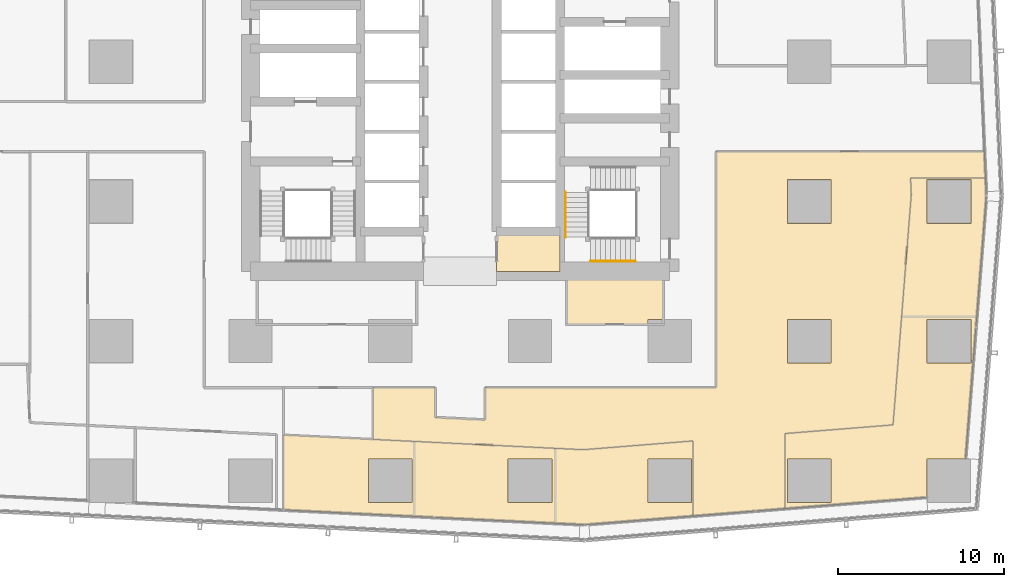
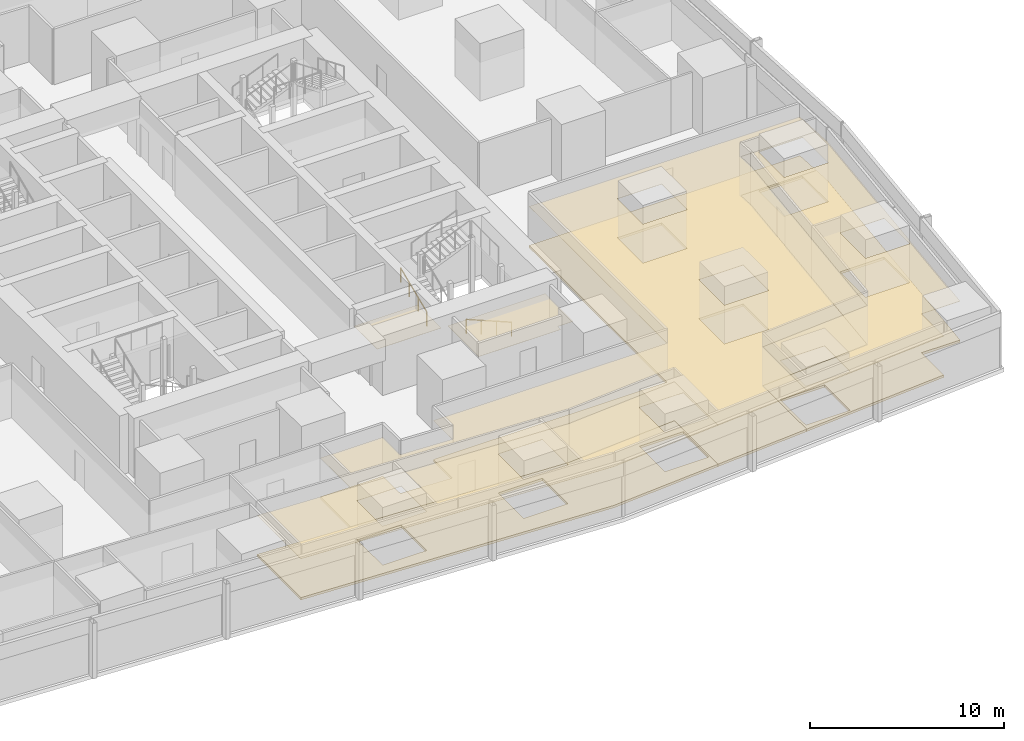
# One storey, part 40 of 46: 8 coverings, 2 railings.
"""IFC4 building model written with IfcOpenShell, lengths in metres."""

from ifc_helpers import new_model, si_unit, direction, frame, origin, origin_2d, place, context, subcontext, project, spatial, polyline, circle, outline, extrude, material, layer, layer_set, type_object, element, save


model = new_model("IFC4")

# Units and contexts
model_context = context("Model", 3, precision=1e-05, world=origin(), true_north=direction((0.0, 1.0)))
body_context = subcontext(model_context, "Body", "Model", "MODEL_VIEW")
ifc_project = project(units=[si_unit("LENGTHUNIT", "METRE"), si_unit("AREAUNIT", "SQUARE_METRE"), si_unit("VOLUMEUNIT", "CUBIC_METRE"), si_unit("PLANEANGLEUNIT", "RADIAN"), si_unit("MASSUNIT", "GRAM", prefix="KILO")], contexts=[model_context])

# Site, building, storey
site_placement = place(None, origin())
site = spatial("IfcSite", under=ifc_project, at=site_placement, CompositionType="ELEMENT")
building_placement = place(site_placement, origin())
building = spatial("IfcBuilding", under=site, at=building_placement, Name="Rekha Terrace Tower", CompositionType="ELEMENT")
storey_placement = place(building_placement, frame((0.0, 0.0, 29.14990234375)))
storey = spatial("IfcBuildingStorey", under=building, at=storey_placement, Name="L06", CompositionType="ELEMENT", Elevation=29.14990234375)

# Coverings
ifc_material_1 = material(Name="Mineral fibre tile in exposed grid", Category="finish")
ifc_layer_1 = layer(ifc_material_1, 0.02001953125)
ifc_layer_set_1 = layer_set([ifc_layer_1], Name="Mineral fibre tile in exposed grid")
covering_type_1 = type_object("IfcCoveringType", Name="CL1 600x1200 office grid ceiling", PredefinedType="CEILING", material=ifc_layer_set_1)
covering_1_placement = place(storey_placement, frame((0.0, 0.0, 2.580078125)))
element("IfcCovering", 1, at=covering_1_placement, inside=storey, type_object=covering_type_1, Name="Ceiling L06-02", PredefinedType="CEILING", context=body_context, shape_type="SweptSolid", body=[
    extrude(outline(polyline([(69.39111328125, 26.6201171875), (64.886962890625, 26.6201171875), (64.929931640625, 25.60205078125), (64.34912109375, 18.277099609375), (63.83203125, 11.762939453125), (57.3291015625, 11.241943359375), (57.3291015625, 6.72802734375), (65.885009765625, 7.4130859375), (65.885009765625, 9.715087890625), (68.18408203125, 9.715087890625), (68.864013671875, 18.279052734375), (69.43798828125, 25.52001953125), (69.39111328125, 26.6201171875)]), holes=[polyline([(68.514892578125, 15.485107421875), (65.885009765625, 15.485107421875), (65.885009765625, 18.114990234375), (68.514892578125, 18.114990234375), (68.514892578125, 15.485107421875)]), polyline([(68.514892578125, 23.885009765625), (65.885009765625, 23.885009765625), (65.885009765625, 26.514892578125), (68.514892578125, 26.514892578125), (68.514892578125, 23.885009765625)]), polyline([(60.114990234375, 7.0849609375), (57.485107421875, 7.0849609375), (57.485107421875, 9.715087890625), (60.114990234375, 9.715087890625), (60.114990234375, 7.0849609375)])]), origin(), (0.0, 0.0, 1.0), 0.02001953125),
])
covering_2_placement = place(storey_placement, frame((0.0, 0.0, 2.580078125)))
element("IfcCovering", 2, at=covering_2_placement, inside=storey, type_object=covering_type_1, Name="Ceiling L06-03", PredefinedType="CEILING", context=body_context, shape_type="SweptSolid", body=[
    extrude(outline(polyline([(43.511962890625, 10.35400390625), (35.0400390625, 10.77001953125), (27.1708984375, 11.156005859375), (27.1708984375, 6.65087890625), (35.0419921875, 6.263916015625), (43.513916015625, 5.847900390625), (45.27197265625, 5.761962890625), (51.801025390625, 6.284912109375), (51.801025390625, 10.799072265625), (45.201904296875, 10.27099609375), (43.511962890625, 10.35400390625)]), holes=[polyline([(51.715087890625, 7.0849609375), (49.0849609375, 7.0849609375), (49.0849609375, 9.715087890625), (51.715087890625, 9.715087890625), (51.715087890625, 7.0849609375)]), polyline([(43.31494140625, 7.0849609375), (40.68505859375, 7.0849609375), (40.68505859375, 9.715087890625), (43.31494140625, 9.715087890625), (43.31494140625, 7.0849609375)]), polyline([(34.9150390625, 7.0849609375), (32.284912109375, 7.0849609375), (32.284912109375, 9.715087890625), (34.9150390625, 9.715087890625), (34.9150390625, 7.0849609375)])]), origin(), (0.0, 0.0, 1.0), 0.02001953125),
])
covering_3_placement = place(storey_placement, frame((0.0, 0.0, 2.580078125)))
element("IfcCovering", 3, at=covering_3_placement, inside=storey, type_object=covering_type_1, Name="Ceiling L06-O1", PredefinedType="CEILING", context=body_context, shape_type="SweptSolid", body=[
    extrude(outline(polyline([(32.571044921875, 10.89111328125), (35.041015625, 10.77001953125), (43.512939453125, 10.35400390625), (45.201904296875, 10.27099609375), (51.801025390625, 10.799072265625), (51.801025390625, 6.284912109375), (57.3291015625, 6.72802734375), (57.3291015625, 11.241943359375), (63.83203125, 11.762939453125), (64.34912109375, 18.278076171875), (64.929931640625, 25.60205078125), (64.886962890625, 26.6201171875), (69.39111328125, 26.6201171875), (69.323974609375, 28.199951171875), (53.199951171875, 28.199951171875), (53.199951171875, 14.0), (39.300048828125, 14.0), (39.300048828125, 12.06201171875), (36.300048828125, 12.2099609375), (36.300048828125, 14.0), (32.571044921875, 14.0), (32.571044921875, 10.89111328125)]), holes=[polyline([(60.114990234375, 18.114990234375), (60.114990234375, 15.485107421875), (57.485107421875, 15.485107421875), (57.485107421875, 18.114990234375), (60.114990234375, 18.114990234375)]), polyline([(60.114990234375, 23.885009765625), (57.485107421875, 23.885009765625), (57.485107421875, 26.514892578125), (60.114990234375, 26.514892578125), (60.114990234375, 23.885009765625)])]), origin(), (0.0, 0.0, 1.0), 0.02001953125),
])
ifc_material_2 = material(Name="Fibre cement board", Category="finish")
ifc_layer_2 = layer(ifc_material_2, 0.014892578125)
ifc_layer_set_2 = layer_set([ifc_layer_2], Name="Fibre cement board")
covering_type_2 = type_object("IfcCoveringType", Name="CL2 moisture-resistant board ceiling", PredefinedType="CEILING", material=ifc_layer_set_2)
covering_4_placement = place(storey_placement, frame((0.0, 0.0, 2.585205078125)))
element("IfcCovering", 4, at=covering_4_placement, inside=storey, type_object=covering_type_2, Name="Ceiling L06-WCA", PredefinedType="CEILING", context=body_context, shape_type="SweptSolid", body=[
    extrude(outline(polyline([(43.800048828125, 23.39990234375), (40.0, 23.39990234375), (40.0, 21.0), (43.800048828125, 21.0), (43.800048828125, 23.39990234375)])), origin(), (0.0, 0.0, 1.0), 0.014892578125),
])
covering_5_placement = place(storey_placement, frame((0.0, 0.0, 2.585205078125)))
element("IfcCovering", 5, at=covering_5_placement, inside=storey, type_object=covering_type_2, Name="Ceiling L06-WCM2", PredefinedType="CEILING", context=body_context, shape_type="SweptSolid", body=[
    extrude(outline(polyline([(50.0, 21.0), (44.199951171875, 21.0), (44.199951171875, 17.800048828125), (49.0849609375, 17.800048828125), (49.0849609375, 18.114990234375), (50.0, 18.114990234375), (50.0, 21.0)])), origin(), (0.0, 0.0, 1.0), 0.014892578125),
])

# Railings
ifc_material_3 = material(Name="Stainless steel tube", Category="steel")
railing_type = type_object("IfcRailingType", Name="HR1 900 stair handrail", PredefinedType="HANDRAIL", material=ifc_material_3)
railing_1_placement = place(storey_placement, frame((48.35009765625, 21.610107421875, 0.125)))
element("IfcRailing", 6, at=railing_1_placement, inside=storey, type_object=railing_type, Name="Handrail ST3 L06 flight 1", PredefinedType="HANDRAIL", context=body_context, shape_type="SweptSolid", body=[
    extrude(circle(Radius=0.02392578125, at=origin_2d()), frame((0.0, 0.0, 0.8759765625), z_axis=(-0.923086799901, 0.0, 0.38459167938), x_axis=(0.0, -1.0, 0.0)), (0.0, 0.0, 1.0), 2.92529296875),
    extrude(circle(Radius=0.02099609375, at=origin_2d()), origin(), (0.0, 0.0, 1.0), 0.851806640625),
    extrude(circle(Radius=0.02099609375, at=origin_2d()), frame((-0.900146484375, 0.0, 0.375)), (0.0, 0.0, 1.0), 0.851806640625),
    extrude(circle(Radius=0.02099609375, at=origin_2d()), frame((-1.800048828125, 0.0, 0.75)), (0.0, 0.0, 1.0), 0.851806640625),
    extrude(circle(Radius=0.02099609375, at=origin_2d()), frame((-2.7001953125, 0.0, 1.125)), (0.0, 0.0, 1.0), 0.851806640625),
])
railing_2_placement = place(storey_placement, frame((44.135009765625, 23.050048828125, 1.375)))
element("IfcRailing", 7, at=railing_2_placement, inside=storey, type_object=railing_type, Name="Handrail ST3 L06 flight 2", PredefinedType="HANDRAIL", context=body_context, shape_type="SweptSolid", body=[
    extrude(circle(Radius=0.02392578125, at=origin_2d()), frame((0.0, 0.0, 0.8759765625), z_axis=(0.0, 0.923074453586, 0.384621311341), x_axis=(-1.0, 0.0, 0.0)), (0.0, 0.0, 1.0), 2.925048828125),
    extrude(circle(Radius=0.02099609375, at=origin_2d()), origin(), (0.0, 0.0, 1.0), 0.851806640625),
    extrude(circle(Radius=0.02099609375, at=origin_2d()), frame((0.0, 0.89990234375, 0.375)), (0.0, 0.0, 1.0), 0.851806640625),
    extrude(circle(Radius=0.02099609375, at=origin_2d()), frame((0.0, 1.800048828125, 0.75)), (0.0, 0.0, 1.0), 0.851806640625),
    extrude(circle(Radius=0.02099609375, at=origin_2d()), frame((0.0, 2.699951171875, 1.125)), (0.0, 0.0, 1.0), 0.851806640625),
])

# Coverings
ifc_material_4 = material(Name="Calcium sulphate panels on steel pedestals", Category="steel")
ifc_layer_3 = layer(ifc_material_4, 0.14990234375)
ifc_layer_set_3 = layer_set([ifc_layer_3], Name="Calcium sulphate panels on steel pedestals")
covering_type_3 = type_object("IfcCoveringType", Name="RF1 150 raised access floor", PredefinedType="FLOORING", material=ifc_layer_set_3)
covering_6_placement = place(storey_placement, origin())
element("IfcCovering", 8, at=covering_6_placement, inside=storey, type_object=covering_type_3, Name="Raised floor L06-02", PredefinedType="FLOORING", context=body_context, shape_type="SweptSolid", body=[
    extrude(outline(polyline([(69.39111328125, 26.6201171875), (64.886962890625, 26.6201171875), (64.929931640625, 25.60205078125), (64.34912109375, 18.277099609375), (63.83203125, 11.762939453125), (57.3291015625, 11.241943359375), (57.3291015625, 6.72802734375), (65.885009765625, 7.4130859375), (65.885009765625, 9.715087890625), (68.18408203125, 9.715087890625), (68.864013671875, 18.279052734375), (69.43798828125, 25.52001953125), (69.39111328125, 26.6201171875)]), holes=[polyline([(68.514892578125, 15.485107421875), (65.885009765625, 15.485107421875), (65.885009765625, 18.114990234375), (68.514892578125, 18.114990234375), (68.514892578125, 15.485107421875)]), polyline([(68.514892578125, 23.885009765625), (65.885009765625, 23.885009765625), (65.885009765625, 26.514892578125), (68.514892578125, 26.514892578125), (68.514892578125, 23.885009765625)]), polyline([(60.114990234375, 7.0849609375), (57.485107421875, 7.0849609375), (57.485107421875, 9.715087890625), (60.114990234375, 9.715087890625), (60.114990234375, 7.0849609375)])]), origin(), (0.0, 0.0, 1.0), 0.150146484375),
])
covering_7_placement = place(storey_placement, origin())
element("IfcCovering", 9, at=covering_7_placement, inside=storey, type_object=covering_type_3, Name="Raised floor L06-03", PredefinedType="FLOORING", context=body_context, shape_type="SweptSolid", body=[
    extrude(outline(polyline([(43.511962890625, 10.35400390625), (35.0400390625, 10.77001953125), (27.1708984375, 11.156005859375), (27.1708984375, 6.65087890625), (35.0419921875, 6.263916015625), (43.513916015625, 5.847900390625), (45.27197265625, 5.761962890625), (51.801025390625, 6.284912109375), (51.801025390625, 10.799072265625), (45.201904296875, 10.27099609375), (43.511962890625, 10.35400390625)]), holes=[polyline([(51.715087890625, 7.0849609375), (49.0849609375, 7.0849609375), (49.0849609375, 9.715087890625), (51.715087890625, 9.715087890625), (51.715087890625, 7.0849609375)]), polyline([(43.31494140625, 7.0849609375), (40.68505859375, 7.0849609375), (40.68505859375, 9.715087890625), (43.31494140625, 9.715087890625), (43.31494140625, 7.0849609375)]), polyline([(34.9150390625, 7.0849609375), (32.284912109375, 7.0849609375), (32.284912109375, 9.715087890625), (34.9150390625, 9.715087890625), (34.9150390625, 7.0849609375)])]), origin(), (0.0, 0.0, 1.0), 0.150146484375),
])
covering_8_placement = place(storey_placement, origin())
element("IfcCovering", 10, at=covering_8_placement, inside=storey, type_object=covering_type_3, Name="Raised floor L06-O1", PredefinedType="FLOORING", context=body_context, shape_type="SweptSolid", body=[
    extrude(outline(polyline([(32.571044921875, 10.89111328125), (35.041015625, 10.77001953125), (43.512939453125, 10.35400390625), (45.201904296875, 10.27099609375), (51.801025390625, 10.799072265625), (51.801025390625, 6.284912109375), (57.3291015625, 6.72802734375), (57.3291015625, 11.241943359375), (63.83203125, 11.762939453125), (64.34912109375, 18.278076171875), (64.929931640625, 25.60205078125), (64.886962890625, 26.6201171875), (69.39111328125, 26.6201171875), (69.323974609375, 28.199951171875), (53.199951171875, 28.199951171875), (53.199951171875, 14.0), (39.300048828125, 14.0), (39.300048828125, 12.06201171875), (36.300048828125, 12.2099609375), (36.300048828125, 14.0), (32.571044921875, 14.0), (32.571044921875, 10.89111328125)]), holes=[polyline([(60.114990234375, 18.114990234375), (60.114990234375, 15.485107421875), (57.485107421875, 15.485107421875), (57.485107421875, 18.114990234375), (60.114990234375, 18.114990234375)]), polyline([(60.114990234375, 23.885009765625), (57.485107421875, 23.885009765625), (57.485107421875, 26.514892578125), (60.114990234375, 26.514892578125), (60.114990234375, 23.885009765625)])]), origin(), (0.0, 0.0, 1.0), 0.150146484375),
])

save(model, "model.ifc")
